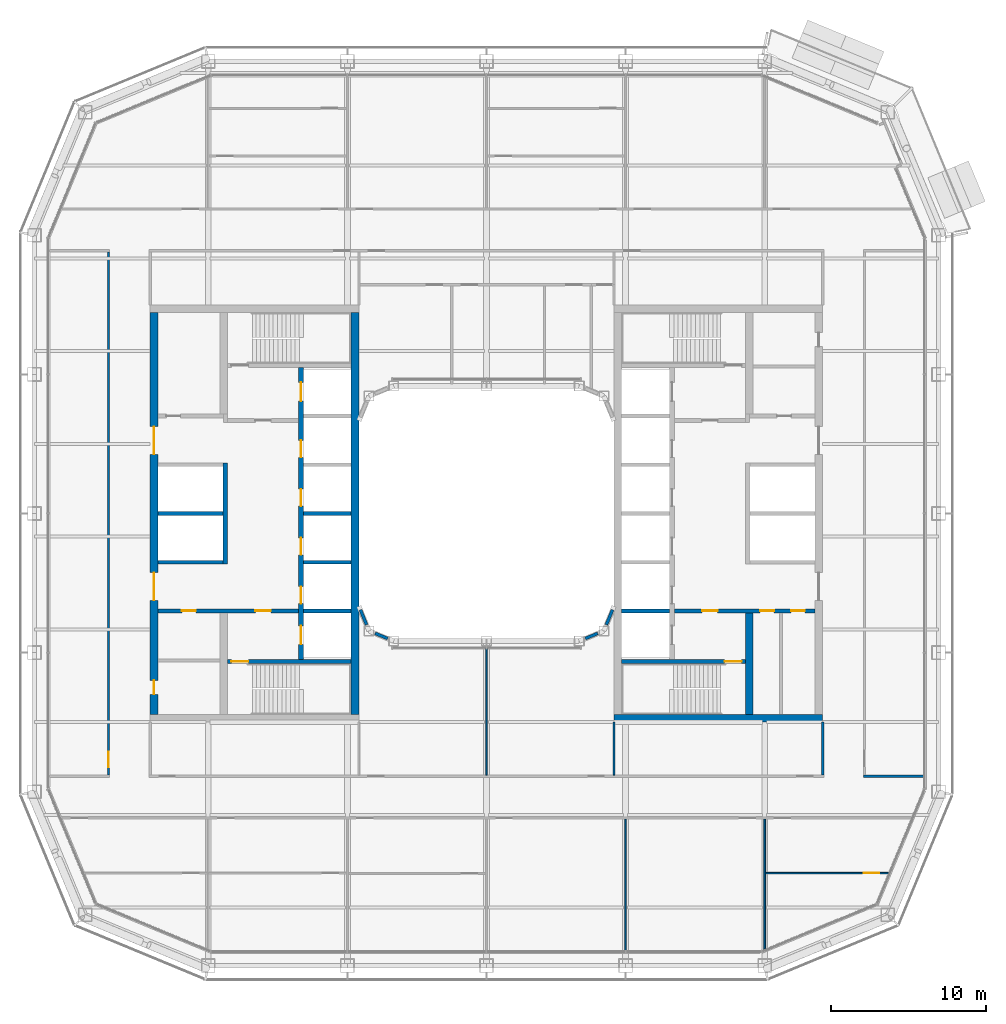
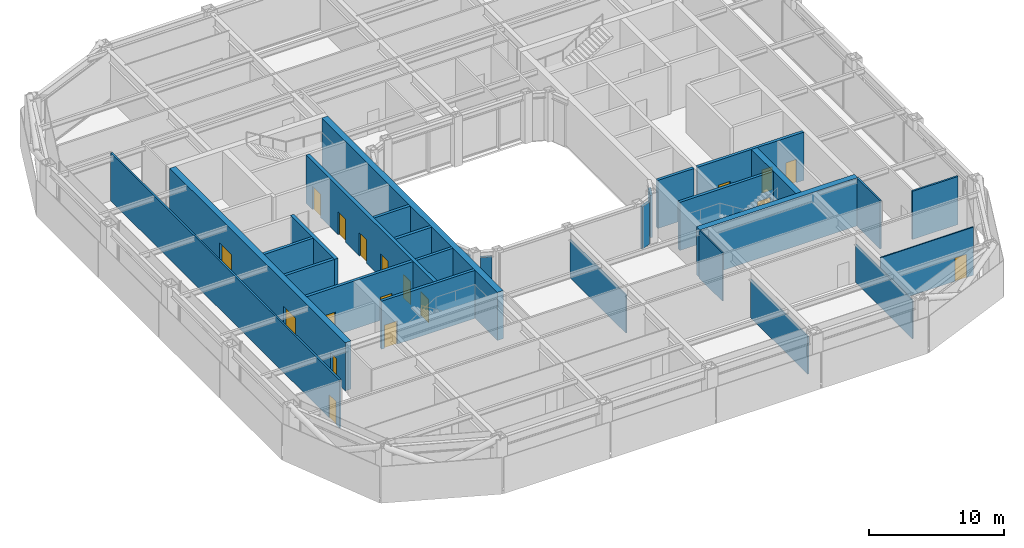
# One storey, part 12 of 24: 28 walls, 18 doors, 18 openings.
"""IFC4 building model written with IfcOpenShell, lengths in metres."""

from ifc_helpers import new_model, si_unit, direction, frame, frame_2d, origin, place, context, subcontext, project, spatial, rectangle, extrude, material, layer, layer_set, type_object, element, fill, save


model = new_model("IFC4")

# Units and contexts
model_context = context("Model", 3, precision=1e-05, world=origin(), true_north=direction((0.0, 1.0)))
body_context = subcontext(model_context, "Body", "Model", "MODEL_VIEW")
ifc_project = project(units=[si_unit("LENGTHUNIT", "METRE"), si_unit("AREAUNIT", "SQUARE_METRE"), si_unit("VOLUMEUNIT", "CUBIC_METRE"), si_unit("PLANEANGLEUNIT", "RADIAN"), si_unit("MASSUNIT", "GRAM", prefix="KILO")], contexts=[model_context])

# Site, building, storey
site_placement = place(None, origin())
site = spatial("IfcSite", under=ifc_project, at=site_placement, CompositionType="ELEMENT")
building_placement = place(site_placement, origin())
building = spatial("IfcBuilding", under=site, at=building_placement, Name="Siwar Civic Tower", CompositionType="ELEMENT")
storey_placement = place(building_placement, frame((0.0, 0.0, 149.699951171875)))
storey = spatial("IfcBuildingStorey", under=building, at=storey_placement, Name="L32", CompositionType="ELEMENT", Elevation=149.699951171875)

# Wall, openings, doors
ifc_material_1 = material(Name="Concrete C60/75", Category="concrete")
ifc_layer_1 = layer(ifc_material_1, 0.25)
ifc_layer_set_1 = layer_set([ifc_layer_1], Name="Concrete C60/75")
wall_type_1 = type_object("IfcWallType", Name="CORE-WALL-RC250", PredefinedType="SHEAR", material=ifc_layer_set_1)
wall_1_placement = place(storey_placement, frame((-12.14990234375, -6.300048828125, 0.0), z_axis=(0.0, 0.0, 1.0), x_axis=(-1.0, 0.0, 0.0)))
wall_1 = element("IfcWall", 1, at=wall_1_placement, inside=storey, type_object=wall_type_1, Name="Core wall W", PredefinedType="SHEAR", context=body_context, shape_type="SweptSolid", body=[
    extrude(rectangle(XDim=9.10009765625, YDim=0.25, at=frame_2d((4.550048828125, 0.0))), origin(), (0.0, 0.0, 1.0), 4.35009765625),
])
opening_1_placement = place(wall_1_placement, frame((1.800048828125, 0.0, 0.0)))
opening_1 = element("IfcOpeningElement", 2, at=opening_1_placement, cuts=wall_1, Name="Opening L32-CW02", PredefinedType="OPENING", context=body_context, shape_type="SweptSolid", body=[
    extrude(rectangle(XDim=1.0, YDim=2.10009765625, at=frame_2d((0.5, 1.050048828125))), frame((0.0, 0.135009765625, 0.0), z_axis=(0.0, -1.0, 0.0), x_axis=(1.0, 0.0, 0.0)), (0.0, 0.0, 1.0), 0.27001953125),
])
opening_2_placement = place(wall_1_placement, frame((6.64990234375, 0.0, 0.0)))
opening_2 = element("IfcOpeningElement", 3, at=opening_2_placement, cuts=wall_1, Name="Opening L32-CW14", PredefinedType="OPENING", context=body_context, shape_type="SweptSolid", body=[
    extrude(rectangle(XDim=0.89990234375, YDim=2.10009765625, at=frame_2d((0.449951171875, 1.050048828125))), frame((0.0, 0.135009765625, 0.0), z_axis=(0.0, -1.0, 0.0), x_axis=(1.0, 0.0, 0.0)), (0.0, 0.0, 1.0), 0.27001953125),
])
ifc_material_2 = material(Name="Steel door leaf", Category="steel")
door_type_1 = type_object("IfcDoorType", Name="CORE-DOOR-FD30S", OperationType="SINGLE_SWING_LEFT", PredefinedType="DOOR", material=ifc_material_2)
door_1_placement = place(opening_1_placement, origin())
door_1 = element("IfcDoor", 4, at=door_1_placement, inside=storey, type_object=door_type_1, Name="Service lobby door L32-CW02", OperationType="SINGLE_SWING_RIGHT", OverallHeight=2.10009765625, OverallWidth=1.0, PredefinedType="DOOR", context=body_context, shape_type="SweptSolid", body=[
    extrude(rectangle(XDim=1.0, YDim=2.10009765625, at=frame_2d((0.5, 1.050048828125))), frame((0.0, 0.02490234375, 0.0), z_axis=(0.0, -1.0, 0.0), x_axis=(1.0, 0.0, 0.0)), (0.0, 0.0, 1.0), 0.050048828125),
])
fill(opening_1, door_1)
ifc_material_3 = material(Name="Steel door leaf", Category="steel")
door_type_2 = type_object("IfcDoorType", Name="CORE-DOOR-ROOM", OperationType="SINGLE_SWING_LEFT", PredefinedType="DOOR", material=ifc_material_3)
door_2_placement = place(opening_2_placement, origin())
door_2 = element("IfcDoor", 5, at=door_2_placement, inside=storey, type_object=door_type_2, Name="Core room door L32-CW14", OperationType="SINGLE_SWING_RIGHT", OverallHeight=2.10009765625, OverallWidth=0.89990234375, PredefinedType="DOOR", context=body_context, shape_type="SweptSolid", body=[
    extrude(rectangle(XDim=0.89990234375, YDim=2.10009765625, at=frame_2d((0.449951171875, 1.050048828125))), frame((0.0, 0.02490234375, 0.0), z_axis=(0.0, -1.0, 0.0), x_axis=(1.0, 0.0, 0.0)), (0.0, 0.0, 1.0), 0.050048828125),
])
fill(opening_2, door_2)

# Walls
for number, where, z_axis, x_axis, name in (
    (6, (-17.050048828125, 0.0, 0.0), (0.0, 0.0, 1.0), (-1.0, 0.0, 0.0), "Core wall W"),
    (7, (-17.050048828125, -3.14990234375, 0.0), (0.0, 0.0, 1.0), (-1.0, 0.0, 0.0), "Core wall W"),
):
    element("IfcWall", number, at=place(storey_placement, frame(where, z_axis=z_axis, x_axis=x_axis)), inside=storey, type_object=wall_type_1, Name=name, PredefinedType="SHEAR", context=body_context, shape_type="SweptSolid", body=[
        extrude(rectangle(XDim=4.199951171875, YDim=0.25, at=frame_2d((2.10009765625, 0.0))), origin(), (0.0, 0.0, 1.0), 4.35009765625),
    ])
for number, where, z_axis, x_axis, name in (
    (8, (-8.75, 0.0, 0.0), (0.0, 0.0, 1.0), (-1.0, 0.0, 0.0), "Core wall W"),
    (9, (-8.75, -3.14990234375, 0.0), (0.0, 0.0, 1.0), (-1.0, 0.0, 0.0), "Core wall W"),
    (10, (-8.75, -6.300048828125, 0.0), (0.0, 0.0, 1.0), (-1.0, 0.0, 0.0), "Core wall W"),
):
    element("IfcWall", number, at=place(storey_placement, frame(where, z_axis=z_axis, x_axis=x_axis)), inside=storey, type_object=wall_type_1, Name=name, PredefinedType="SHEAR", context=body_context, shape_type="SweptSolid", body=[
        extrude(rectangle(XDim=3.10009765625, YDim=0.25, at=frame_2d((1.550048828125, 0.0))), origin(), (0.0, 0.0, 1.0), 4.35009765625),
    ])

# Wall, opening, door
wall_2_placement = place(storey_placement, frame((-8.75, -9.574951171875, 0.0), z_axis=(0.0, 0.0, 1.0), x_axis=(-1.0, 0.0, 0.0)))
wall_2 = element("IfcWall", 11, at=wall_2_placement, inside=storey, type_object=wall_type_1, Name="Core wall W", PredefinedType="SHEAR", context=body_context, shape_type="SweptSolid", body=[
    extrude(rectangle(XDim=8.0, YDim=0.25, at=frame_2d((4.0, 0.0))), origin(), (0.0, 0.0, 1.0), 4.35009765625),
])
opening_3_placement = place(wall_2_placement, frame((6.64990234375, 0.0, 0.0)))
opening_3 = element("IfcOpeningElement", 12, at=opening_3_placement, cuts=wall_2, Name="Opening L32-CW04", PredefinedType="OPENING", context=body_context, shape_type="SweptSolid", body=[
    extrude(rectangle(XDim=1.10009765625, YDim=2.10009765625, at=frame_2d((0.550048828125, 1.050048828125))), frame((0.0, 0.135009765625, 0.0), z_axis=(0.0, -1.0, 0.0), x_axis=(1.0, 0.0, 0.0)), (0.0, 0.0, 1.0), 0.27001953125),
])
ifc_material_4 = material(Name="Steel door leaf", Category="steel")
door_type_3 = type_object("IfcDoorType", Name="CORE-DOOR-FD60S", OperationType="SINGLE_SWING_LEFT", PredefinedType="DOOR", material=ifc_material_4)
door_3_placement = place(opening_3_placement, origin())
door_3 = element("IfcDoor", 13, at=door_3_placement, inside=storey, type_object=door_type_3, Name="Stair door L32-CW04", OperationType="SINGLE_SWING_LEFT", OverallHeight=2.10009765625, OverallWidth=1.10009765625, PredefinedType="DOOR", context=body_context, shape_type="SweptSolid", body=[
    extrude(rectangle(XDim=1.10009765625, YDim=2.10009765625, at=frame_2d((0.550048828125, 1.050048828125))), frame((0.0, 0.02490234375, 0.0), z_axis=(0.0, -1.0, 0.0), x_axis=(1.0, 0.0, 0.0)), (0.0, 0.0, 1.0), 0.050048828125),
])
fill(opening_3, door_3)

# Wall, openings, doors
wall_3_placement = place(storey_placement, frame((12.14990234375, -6.300048828125, 0.0), z_axis=(0.0, 0.0, 1.0), x_axis=(1.0, 0.0, 0.0)))
wall_3 = element("IfcWall", 14, at=wall_3_placement, inside=storey, type_object=wall_type_1, Name="Core wall E", PredefinedType="SHEAR", context=body_context, shape_type="SweptSolid", body=[
    extrude(rectangle(XDim=9.10009765625, YDim=0.25, at=frame_2d((4.550048828125, 0.0))), origin(), (0.0, 0.0, 1.0), 4.35009765625),
])
opening_4_placement = place(wall_3_placement, frame((1.800048828125, 0.0, 0.0)))
opening_4 = element("IfcOpeningElement", 15, at=opening_4_placement, cuts=wall_3, Name="Opening L32-CE02", PredefinedType="OPENING", context=body_context, shape_type="SweptSolid", body=[
    extrude(rectangle(XDim=1.0, YDim=2.10009765625, at=frame_2d((0.5, 1.050048828125))), frame((0.0, 0.135009765625, 0.0), z_axis=(0.0, -1.0, 0.0), x_axis=(1.0, 0.0, 0.0)), (0.0, 0.0, 1.0), 0.27001953125),
])
opening_5_placement = place(wall_3_placement, frame((5.550048828125, 0.0, 0.0)))
opening_5 = element("IfcOpeningElement", 16, at=opening_5_placement, cuts=wall_3, Name="Opening L32-CE15", PredefinedType="OPENING", context=body_context, shape_type="SweptSolid", body=[
    extrude(rectangle(XDim=0.89990234375, YDim=2.10009765625, at=frame_2d((0.449951171875, 1.050048828125))), frame((0.0, 0.135009765625, 0.0), z_axis=(0.0, -1.0, 0.0), x_axis=(1.0, 0.0, 0.0)), (0.0, 0.0, 1.0), 0.27001953125),
])
opening_6_placement = place(wall_3_placement, frame((7.550048828125, 0.0, 0.0)))
opening_6 = element("IfcOpeningElement", 17, at=opening_6_placement, cuts=wall_3, Name="Opening L32-CE16", PredefinedType="OPENING", context=body_context, shape_type="SweptSolid", body=[
    extrude(rectangle(XDim=0.89990234375, YDim=2.10009765625, at=frame_2d((0.449951171875, 1.050048828125))), frame((0.0, 0.135009765625, 0.0), z_axis=(0.0, -1.0, 0.0), x_axis=(1.0, 0.0, 0.0)), (0.0, 0.0, 1.0), 0.27001953125),
])
door_4_placement = place(opening_4_placement, origin())
door_4 = element("IfcDoor", 18, at=door_4_placement, inside=storey, type_object=door_type_1, Name="Service lobby door L32-CE02", OperationType="SINGLE_SWING_LEFT", OverallHeight=2.10009765625, OverallWidth=1.0, PredefinedType="DOOR", context=body_context, shape_type="SweptSolid", body=[
    extrude(rectangle(XDim=1.0, YDim=2.10009765625, at=frame_2d((0.5, 1.050048828125))), frame((0.0, 0.02490234375, 0.0), z_axis=(0.0, -1.0, 0.0), x_axis=(1.0, 0.0, 0.0)), (0.0, 0.0, 1.0), 0.050048828125),
])
fill(opening_4, door_4)
door_5_placement = place(opening_5_placement, origin())
door_5 = element("IfcDoor", 19, at=door_5_placement, inside=storey, type_object=door_type_2, Name="Core room door L32-CE15", OperationType="SINGLE_SWING_RIGHT", OverallHeight=2.10009765625, OverallWidth=0.89990234375, PredefinedType="DOOR", context=body_context, shape_type="SweptSolid", body=[
    extrude(rectangle(XDim=0.89990234375, YDim=2.10009765625, at=frame_2d((0.449951171875, 1.050048828125))), frame((0.0, 0.02490234375, 0.0), z_axis=(0.0, -1.0, 0.0), x_axis=(1.0, 0.0, 0.0)), (0.0, 0.0, 1.0), 0.050048828125),
])
fill(opening_5, door_5)
door_6_placement = place(opening_6_placement, origin())
door_6 = element("IfcDoor", 20, at=door_6_placement, inside=storey, type_object=door_type_2, Name="Core room door L32-CE16", OperationType="SINGLE_SWING_LEFT", OverallHeight=2.10009765625, OverallWidth=0.89990234375, PredefinedType="DOOR", context=body_context, shape_type="SweptSolid", body=[
    extrude(rectangle(XDim=0.89990234375, YDim=2.10009765625, at=frame_2d((0.449951171875, 1.050048828125))), frame((0.0, 0.02490234375, 0.0), z_axis=(0.0, -1.0, 0.0), x_axis=(1.0, 0.0, 0.0)), (0.0, 0.0, 1.0), 0.050048828125),
])
fill(opening_6, door_6)

# Wall
wall_4_placement = place(storey_placement, frame((8.75, -6.300048828125, 0.0), z_axis=(0.0, 0.0, 1.0), x_axis=(1.0, 0.0, 0.0)))
element("IfcWall", 21, at=wall_4_placement, inside=storey, type_object=wall_type_1, Name="Core wall E", PredefinedType="SHEAR", context=body_context, shape_type="SweptSolid", body=[
    extrude(rectangle(XDim=3.10009765625, YDim=0.25, at=frame_2d((1.550048828125, 0.0))), origin(), (0.0, 0.0, 1.0), 4.35009765625),
])

# Wall, opening, door
wall_5_placement = place(storey_placement, frame((8.75, -9.574951171875, 0.0), z_axis=(0.0, 0.0, 1.0), x_axis=(1.0, 0.0, 0.0)))
wall_5 = element("IfcWall", 22, at=wall_5_placement, inside=storey, type_object=wall_type_1, Name="Core wall E", PredefinedType="SHEAR", context=body_context, shape_type="SweptSolid", body=[
    extrude(rectangle(XDim=8.0, YDim=0.25, at=frame_2d((4.0, 0.0))), origin(), (0.0, 0.0, 1.0), 4.35009765625),
])
opening_7_placement = place(wall_5_placement, frame((6.64990234375, 0.0, 0.0)))
opening_7 = element("IfcOpeningElement", 23, at=opening_7_placement, cuts=wall_5, Name="Opening L32-CE04", PredefinedType="OPENING", context=body_context, shape_type="SweptSolid", body=[
    extrude(rectangle(XDim=1.10009765625, YDim=2.10009765625, at=frame_2d((0.550048828125, 1.050048828125))), frame((0.0, 0.135009765625, 0.0), z_axis=(0.0, -1.0, 0.0), x_axis=(1.0, 0.0, 0.0)), (0.0, 0.0, 1.0), 0.27001953125),
])
door_7_placement = place(opening_7_placement, origin())
door_7 = element("IfcDoor", 24, at=door_7_placement, inside=storey, type_object=door_type_3, Name="Stair door L32-CE04", OperationType="SINGLE_SWING_RIGHT", OverallHeight=2.10009765625, OverallWidth=1.10009765625, PredefinedType="DOOR", context=body_context, shape_type="SweptSolid", body=[
    extrude(rectangle(XDim=1.10009765625, YDim=2.10009765625, at=frame_2d((0.550048828125, 1.050048828125))), frame((0.0, 0.02490234375, 0.0), z_axis=(0.0, -1.0, 0.0), x_axis=(1.0, 0.0, 0.0)), (0.0, 0.0, 1.0), 0.050048828125),
])
fill(opening_7, door_7)

# Wall, openings, doors
ifc_material_5 = material(Name="Concrete C60/75", Category="concrete")
ifc_layer_2 = layer(ifc_material_5, 0.300048828125)
ifc_layer_set_2 = layer_set([ifc_layer_2], Name="Concrete C60/75")
wall_type_2 = type_object("IfcWallType", Name="CORE-WALL-RC300", PredefinedType="SHEAR", material=ifc_layer_set_2)
wall_6_placement = place(storey_placement, frame((-12.0, -9.449951171875, 0.0), z_axis=(0.0, 0.0, 1.0), x_axis=(0.0, 1.0, 0.0)))
wall_6 = element("IfcWall", 25, at=wall_6_placement, inside=storey, type_object=wall_type_2, Name="Core wall W", PredefinedType="SHEAR", context=body_context, shape_type="SweptSolid", body=[
    extrude(rectangle(XDim=18.89990234375, YDim=0.300048828125, at=frame_2d((9.449951171875, 0.0))), origin(), (0.0, 0.0, 1.0), 4.35009765625),
])
opening_8_placement = place(wall_6_placement, frame((3.625, 0.0, 0.0)))
opening_8 = element("IfcOpeningElement", 26, at=opening_8_placement, cuts=wall_6, Name="Opening L32-CW07", PredefinedType="OPENING", context=body_context, shape_type="SweptSolid", body=[
    extrude(rectangle(XDim=1.10009765625, YDim=2.10009765625, at=frame_2d((0.550048828125, 1.050048828125))), frame((0.0, 0.16015625, 0.0), z_axis=(0.0, -1.0, 0.0), x_axis=(1.0, 0.0, 0.0)), (0.0, 0.0, 1.0), 0.320068359375),
])
opening_9_placement = place(wall_6_placement, frame((6.77490234375, 0.0, 0.0)))
opening_9 = element("IfcOpeningElement", 27, at=opening_9_placement, cuts=wall_6, Name="Opening L32-CW08", PredefinedType="OPENING", context=body_context, shape_type="SweptSolid", body=[
    extrude(rectangle(XDim=1.10009765625, YDim=2.10009765625, at=frame_2d((0.550048828125, 1.050048828125))), frame((0.0, 0.16015625, 0.0), z_axis=(0.0, -1.0, 0.0), x_axis=(1.0, 0.0, 0.0)), (0.0, 0.0, 1.0), 0.320068359375),
])
opening_10_placement = place(wall_6_placement, frame((9.925048828125, 0.0, 0.0)))
opening_10 = element("IfcOpeningElement", 28, at=opening_10_placement, cuts=wall_6, Name="Opening L32-CW09", PredefinedType="OPENING", context=body_context, shape_type="SweptSolid", body=[
    extrude(rectangle(XDim=1.10009765625, YDim=2.10009765625, at=frame_2d((0.550048828125, 1.050048828125))), frame((0.0, 0.16015625, 0.0), z_axis=(0.0, -1.0, 0.0), x_axis=(1.0, 0.0, 0.0)), (0.0, 0.0, 1.0), 0.320068359375),
])
opening_11_placement = place(wall_6_placement, frame((13.074951171875, 0.0, 0.0)))
opening_11 = element("IfcOpeningElement", 29, at=opening_11_placement, cuts=wall_6, Name="Opening L32-CW10", PredefinedType="OPENING", context=body_context, shape_type="SweptSolid", body=[
    extrude(rectangle(XDim=1.10009765625, YDim=2.10009765625, at=frame_2d((0.550048828125, 1.050048828125))), frame((0.0, 0.16015625, 0.0), z_axis=(0.0, -1.0, 0.0), x_axis=(1.0, 0.0, 0.0)), (0.0, 0.0, 1.0), 0.320068359375),
])
opening_12_placement = place(wall_6_placement, frame((16.72509765625, 0.0, 0.0)))
opening_12 = element("IfcOpeningElement", 30, at=opening_12_placement, cuts=wall_6, Name="Opening L32-CW11", PredefinedType="OPENING", context=body_context, shape_type="SweptSolid", body=[
    extrude(rectangle(XDim=1.199951171875, YDim=2.10009765625, at=frame_2d((0.60009765625, 1.050048828125))), frame((0.0, 0.16015625, 0.0), z_axis=(0.0, -1.0, 0.0), x_axis=(1.0, 0.0, 0.0)), (0.0, 0.0, 1.0), 0.320068359375),
])
opening_13_placement = place(wall_6_placement, frame((0.97509765625, 0.0, 0.0)))
opening_13 = element("IfcOpeningElement", 31, at=opening_13_placement, cuts=wall_6, Name="Opening L32-CW12", PredefinedType="OPENING", context=body_context, shape_type="SweptSolid", body=[
    extrude(rectangle(XDim=1.199951171875, YDim=2.10009765625, at=frame_2d((0.60009765625, 1.050048828125))), frame((0.0, 0.16015625, 0.0), z_axis=(0.0, -1.0, 0.0), x_axis=(1.0, 0.0, 0.0)), (0.0, 0.0, 1.0), 0.320068359375),
])
ifc_material_6 = material(Name="Steel door leaf", Category="steel")
door_type_4 = type_object("IfcDoorType", Name="CORE-DOOR-LD", OperationType="DOUBLE_DOOR_SLIDING", PredefinedType="DOOR", material=ifc_material_6)
door_8_placement = place(opening_8_placement, origin())
door_8 = element("IfcDoor", 32, at=door_8_placement, inside=storey, type_object=door_type_4, Name="Landing door LR1 L32-CW07", OperationType="DOUBLE_DOOR_SLIDING", OverallHeight=2.10009765625, OverallWidth=1.10009765625, PredefinedType="DOOR", context=body_context, shape_type="SweptSolid", body=[
    extrude(rectangle(XDim=1.10009765625, YDim=2.10009765625, at=frame_2d((0.550048828125, 1.050048828125))), frame((0.0, 0.02490234375, 0.0), z_axis=(0.0, -1.0, 0.0), x_axis=(1.0, 0.0, 0.0)), (0.0, 0.0, 1.0), 0.050048828125),
])
fill(opening_8, door_8)
door_9_placement = place(opening_9_placement, origin())
door_9 = element("IfcDoor", 33, at=door_9_placement, inside=storey, type_object=door_type_4, Name="Landing door LR2 L32-CW08", OperationType="DOUBLE_DOOR_SLIDING", OverallHeight=2.10009765625, OverallWidth=1.10009765625, PredefinedType="DOOR", context=body_context, shape_type="SweptSolid", body=[
    extrude(rectangle(XDim=1.10009765625, YDim=2.10009765625, at=frame_2d((0.550048828125, 1.050048828125))), frame((0.0, 0.02490234375, 0.0), z_axis=(0.0, -1.0, 0.0), x_axis=(1.0, 0.0, 0.0)), (0.0, 0.0, 1.0), 0.050048828125),
])
fill(opening_9, door_9)
door_10_placement = place(opening_10_placement, origin())
door_10 = element("IfcDoor", 34, at=door_10_placement, inside=storey, type_object=door_type_4, Name="Landing door LR3 L32-CW09", OperationType="DOUBLE_DOOR_SLIDING", OverallHeight=2.10009765625, OverallWidth=1.10009765625, PredefinedType="DOOR", context=body_context, shape_type="SweptSolid", body=[
    extrude(rectangle(XDim=1.10009765625, YDim=2.10009765625, at=frame_2d((0.550048828125, 1.050048828125))), frame((0.0, 0.02490234375, 0.0), z_axis=(0.0, -1.0, 0.0), x_axis=(1.0, 0.0, 0.0)), (0.0, 0.0, 1.0), 0.050048828125),
])
fill(opening_10, door_10)
door_11_placement = place(opening_11_placement, origin())
door_11 = element("IfcDoor", 35, at=door_11_placement, inside=storey, type_object=door_type_4, Name="Landing door LR4 L32-CW10", OperationType="DOUBLE_DOOR_SLIDING", OverallHeight=2.10009765625, OverallWidth=1.10009765625, PredefinedType="DOOR", context=body_context, shape_type="SweptSolid", body=[
    extrude(rectangle(XDim=1.10009765625, YDim=2.10009765625, at=frame_2d((0.550048828125, 1.050048828125))), frame((0.0, 0.02490234375, 0.0), z_axis=(0.0, -1.0, 0.0), x_axis=(1.0, 0.0, 0.0)), (0.0, 0.0, 1.0), 0.050048828125),
])
fill(opening_11, door_11)
ifc_material_7 = material(Name="Steel door leaf", Category="steel")
door_type_5 = type_object("IfcDoorType", Name="CORE-DOOR-LDW", OperationType="DOUBLE_DOOR_SLIDING", PredefinedType="DOOR", material=ifc_material_7)
door_12_placement = place(opening_12_placement, origin())
door_12 = element("IfcDoor", 36, at=door_12_placement, inside=storey, type_object=door_type_5, Name="Landing door FF1 L32-CW11", OperationType="DOUBLE_DOOR_SLIDING", OverallHeight=2.10009765625, OverallWidth=1.199951171875, PredefinedType="DOOR", context=body_context, shape_type="SweptSolid", body=[
    extrude(rectangle(XDim=1.199951171875, YDim=2.10009765625, at=frame_2d((0.60009765625, 1.050048828125))), frame((0.0, 0.02490234375, 0.0), z_axis=(0.0, -1.0, 0.0), x_axis=(1.0, 0.0, 0.0)), (0.0, 0.0, 1.0), 0.050048828125),
])
fill(opening_12, door_12)
door_13_placement = place(opening_13_placement, origin())
door_13 = element("IfcDoor", 37, at=door_13_placement, inside=storey, type_object=door_type_5, Name="Landing door SV1 L32-CW12", OperationType="DOUBLE_DOOR_SLIDING", OverallHeight=2.10009765625, OverallWidth=1.199951171875, PredefinedType="DOOR", context=body_context, shape_type="SweptSolid", body=[
    extrude(rectangle(XDim=1.199951171875, YDim=2.10009765625, at=frame_2d((0.60009765625, 1.050048828125))), frame((0.0, 0.02490234375, 0.0), z_axis=(0.0, -1.0, 0.0), x_axis=(1.0, 0.0, 0.0)), (0.0, 0.0, 1.0), 0.050048828125),
])
fill(opening_13, door_13)

# Wall
wall_7_placement = place(storey_placement, frame((-16.89990234375, -3.27490234375, 0.0), z_axis=(0.0, 0.0, 1.0), x_axis=(0.0, 1.0, 0.0)))
element("IfcWall", 38, at=wall_7_placement, inside=storey, type_object=wall_type_2, Name="Core wall W", PredefinedType="SHEAR", context=body_context, shape_type="SweptSolid", body=[
    extrude(rectangle(XDim=6.5498046875, YDim=0.300048828125, at=frame_2d((3.27490234375, 0.0))), origin(), (0.0, 0.0, 1.0), 4.35009765625),
])

# Wall, openings, doors
ifc_material_8 = material(Name="Concrete C60/75", Category="concrete")
ifc_layer_3 = layer(ifc_material_8, 0.5)
ifc_layer_set_3 = layer_set([ifc_layer_3], Name="Concrete C60/75")
wall_type_3 = type_object("IfcWallType", Name="CORE-WALL-RC500", PredefinedType="SHEAR", material=ifc_layer_set_3)
wall_8_placement = place(storey_placement, frame((-21.5, -13.0, 0.0), z_axis=(0.0, 0.0, 1.0), x_axis=(0.0, 1.0, 0.0)))
wall_8 = element("IfcWall", 39, at=wall_8_placement, inside=storey, type_object=wall_type_3, Name="Core wall W", PredefinedType="SHEAR", context=body_context, shape_type="SweptSolid", body=[
    extrude(rectangle(XDim=26.0, YDim=0.5, at=frame_2d((13.0, 0.0))), origin(), (0.0, 0.0, 1.0), 4.35009765625),
])
opening_14_placement = place(wall_8_placement, frame((16.824951171875, 0.0, 0.0)))
opening_14 = element("IfcOpeningElement", 40, at=opening_14_placement, cuts=wall_8, Name="Opening L32-CW05", PredefinedType="OPENING", context=body_context, shape_type="SweptSolid", body=[
    extrude(rectangle(XDim=1.800048828125, YDim=2.10009765625, at=frame_2d((0.89990234375, 1.050048828125))), frame((0.0, 0.260009765625, 0.0), z_axis=(0.0, -1.0, 0.0), x_axis=(1.0, 0.0, 0.0)), (0.0, 0.0, 1.0), 0.52001953125),
])
opening_15_placement = place(wall_8_placement, frame((7.375, 0.0, 0.0)))
opening_15 = element("IfcOpeningElement", 41, at=opening_15_placement, cuts=wall_8, Name="Opening L32-CW06", PredefinedType="OPENING", context=body_context, shape_type="SweptSolid", body=[
    extrude(rectangle(XDim=1.800048828125, YDim=2.10009765625, at=frame_2d((0.89990234375, 1.050048828125))), frame((0.0, 0.260009765625, 0.0), z_axis=(0.0, -1.0, 0.0), x_axis=(1.0, 0.0, 0.0)), (0.0, 0.0, 1.0), 0.52001953125),
])
opening_16_placement = place(wall_8_placement, frame((1.300048828125, 0.0, 0.0)))
opening_16 = element("IfcOpeningElement", 42, at=opening_16_placement, cuts=wall_8, Name="Opening L32-CW15", PredefinedType="OPENING", context=body_context, shape_type="SweptSolid", body=[
    extrude(rectangle(XDim=0.89990234375, YDim=2.10009765625, at=frame_2d((0.449951171875, 1.050048828125))), frame((0.0, 0.260009765625, 0.0), z_axis=(0.0, -1.0, 0.0), x_axis=(1.0, 0.0, 0.0)), (0.0, 0.0, 1.0), 0.52001953125),
])
ifc_material_9 = material(Name="Steel door leaf", Category="steel")
door_type_6 = type_object("IfcDoorType", Name="CORE-DOOR-PORT", OperationType="DOUBLE_DOOR_DOUBLE_SWING", PredefinedType="DOOR", material=ifc_material_9)
door_14_placement = place(opening_14_placement, origin())
door_14 = element("IfcDoor", 43, at=door_14_placement, inside=storey, type_object=door_type_6, Name="Core entrance door L32-CW05", OperationType="DOUBLE_DOOR_DOUBLE_SWING", OverallHeight=2.10009765625, OverallWidth=1.800048828125, PredefinedType="DOOR", context=body_context, shape_type="SweptSolid", body=[
    extrude(rectangle(XDim=1.800048828125, YDim=2.10009765625, at=frame_2d((0.89990234375, 1.050048828125))), frame((0.0, 0.02490234375, 0.0), z_axis=(0.0, -1.0, 0.0), x_axis=(1.0, 0.0, 0.0)), (0.0, 0.0, 1.0), 0.050048828125),
])
fill(opening_14, door_14)
door_15_placement = place(opening_15_placement, origin())
door_15 = element("IfcDoor", 44, at=door_15_placement, inside=storey, type_object=door_type_6, Name="Core entrance door L32-CW06", OperationType="DOUBLE_DOOR_DOUBLE_SWING", OverallHeight=2.10009765625, OverallWidth=1.800048828125, PredefinedType="DOOR", context=body_context, shape_type="SweptSolid", body=[
    extrude(rectangle(XDim=1.800048828125, YDim=2.10009765625, at=frame_2d((0.89990234375, 1.050048828125))), frame((0.0, 0.02490234375, 0.0), z_axis=(0.0, -1.0, 0.0), x_axis=(1.0, 0.0, 0.0)), (0.0, 0.0, 1.0), 0.050048828125),
])
fill(opening_15, door_15)
door_16_placement = place(opening_16_placement, origin())
door_16 = element("IfcDoor", 45, at=door_16_placement, inside=storey, type_object=door_type_2, Name="Core room door L32-CW15", OperationType="SINGLE_SWING_RIGHT", OverallHeight=2.10009765625, OverallWidth=0.89990234375, PredefinedType="DOOR", context=body_context, shape_type="SweptSolid", body=[
    extrude(rectangle(XDim=0.89990234375, YDim=2.10009765625, at=frame_2d((0.449951171875, 1.050048828125))), frame((0.0, 0.02490234375, 0.0), z_axis=(0.0, -1.0, 0.0), x_axis=(1.0, 0.0, 0.0)), (0.0, 0.0, 1.0), 0.050048828125),
])
fill(opening_16, door_16)

# Walls
wall_9_placement = place(storey_placement, frame((17.0, -13.0, 0.0), z_axis=(0.0, 0.0, 1.0), x_axis=(0.0, 1.0, 0.0)))
element("IfcWall", 46, at=wall_9_placement, inside=storey, type_object=wall_type_3, Name="Core wall E", PredefinedType="SHEAR", context=body_context, shape_type="SweptSolid", body=[
    extrude(rectangle(XDim=6.574951171875, YDim=0.5, at=frame_2d((3.28759765625, 0.0))), origin(), (0.0, 0.0, 1.0), 4.35009765625),
])
wall_10_placement = place(storey_placement, frame((8.25, -13.25, 0.0), z_axis=(0.0, 0.0, 1.0), x_axis=(1.0, 0.0, 0.0)))
element("IfcWall", 47, at=wall_10_placement, inside=storey, type_object=wall_type_3, Name="Core wall E", PredefinedType="SHEAR", context=body_context, shape_type="SweptSolid", body=[
    extrude(rectangle(XDim=13.5, YDim=0.5, at=frame_2d((6.75, 0.0))), origin(), (0.0, 0.0, 1.0), 4.35009765625),
])
ifc_material_10 = material(Name="Concrete C60/75", Category="concrete")
ifc_layer_4 = layer(ifc_material_10, 0.5)
ifc_layer_set_4 = layer_set([ifc_layer_4], Name="Concrete C60/75")
wall_type_4 = type_object("IfcWallType", Name="CORE-WALL-RC500-EXT", PredefinedType="SHEAR", material=ifc_layer_set_4)
wall_11_placement = place(storey_placement, frame((-8.5, -13.0, 0.0), z_axis=(0.0, 0.0, 1.0), x_axis=(0.0, 1.0, 0.0)))
element("IfcWall", 48, at=wall_11_placement, inside=storey, type_object=wall_type_4, Name="Core wall W", PredefinedType="SHEAR", context=body_context, shape_type="SweptSolid", body=[
    extrude(rectangle(XDim=26.0, YDim=0.5, at=frame_2d((13.0, 0.0))), origin(), (0.0, 0.0, 1.0), 4.35009765625),
])
ifc_material_11 = material(Name="Gypsum board on steel studs", Category="steel")
ifc_layer_5 = layer(ifc_material_11, 0.14990234375)
ifc_layer_set_5 = layer_set([ifc_layer_5], Name="Gypsum board on steel studs")
wall_type_5 = type_object("IfcWallType", Name="CORRIDOR PARTITION 150 EI 30", PredefinedType="PARTITIONING", material=ifc_layer_set_5)
wall_12_placement = place(storey_placement, frame((24.375, -17.0, 0.0), z_axis=(0.0, 0.0, 1.0), x_axis=(1.0, 0.0, 0.0)))
element("IfcWall", 49, at=wall_12_placement, inside=storey, type_object=wall_type_5, Name="L32/wall/P07", PredefinedType="PARTITIONING", context=body_context, shape_type="SweptSolid", body=[
    extrude(rectangle(XDim=3.885009765625, YDim=0.14990234375, at=frame_2d((1.9423828125, 0.0))), origin(), (0.0, 0.0, 1.0), 4.35009765625),
])

# Wall, opening, door
wall_13_placement = place(storey_placement, frame((-24.449951171875, -16.925048828125, 0.0), z_axis=(0.0, 0.0, 1.0), x_axis=(0.0, 1.0, 0.0)))
wall_13 = element("IfcWall", 50, at=wall_13_placement, inside=storey, type_object=wall_type_5, Name="L32/wall/P18", PredefinedType="PARTITIONING", context=body_context, shape_type="SweptSolid", body=[
    extrude(rectangle(XDim=33.85009765625, YDim=0.14990234375, at=frame_2d((16.925048828125, 0.0))), origin(), (0.0, 0.0, 1.0), 4.35009765625),
])
opening_17_placement = place(wall_13_placement, frame((0.52490234375, 0.0, 0.0)))
opening_17 = element("IfcOpeningElement", 51, at=opening_17_placement, cuts=wall_13, Name="Opening D1", PredefinedType="OPENING", context=body_context, shape_type="SweptSolid", body=[
    extrude(rectangle(XDim=1.0, YDim=2.10009765625, at=frame_2d((0.5, 1.050048828125))), frame((0.0, 0.0849609375, 0.0), z_axis=(0.0, -1.0, 0.0), x_axis=(1.0, 0.0, 0.0)), (0.0, 0.0, 1.0), 0.169921875),
])
ifc_material_12 = material(Name="Timber, painted", Category="wood")
door_type_7 = type_object("IfcDoorType", Name="DOOR 1000 X 2100 FD30", OperationType="SINGLE_SWING_LEFT", PredefinedType="DOOR", material=ifc_material_12)
door_17_placement = place(opening_17_placement, origin())
door_17 = element("IfcDoor", 52, at=door_17_placement, inside=storey, type_object=door_type_7, Name="L32-D32", OperationType="SINGLE_SWING_RIGHT", OverallHeight=2.10009765625, OverallWidth=1.0, PredefinedType="DOOR", context=body_context, shape_type="SweptSolid", body=[
    extrude(rectangle(XDim=1.0, YDim=2.10009765625, at=frame_2d((0.5, 1.050048828125))), frame((0.0, 0.02490234375, 0.0), z_axis=(0.0, -1.0, 0.0), x_axis=(1.0, 0.0, 0.0)), (0.0, 0.0, 1.0), 0.050048828125),
])
fill(opening_17, door_17)

# Walls
wall_14_placement = place(storey_placement, frame((21.75, -16.925048828125, 0.0), z_axis=(0.0, 0.0, 1.0), x_axis=(0.0, 1.0, 0.0)))
element("IfcWall", 53, at=wall_14_placement, inside=storey, type_object=wall_type_5, Name="L32/wall/P41", PredefinedType="PARTITIONING", context=body_context, shape_type="SweptSolid", body=[
    extrude(rectangle(XDim=3.425048828125, YDim=0.14990234375, at=frame_2d((1.71240234375, 0.0))), origin(), (0.0, 0.0, 1.0), 4.35009765625),
])
ifc_material_13 = material(Name="Aluminium clad insulated panel", Category="aluminium")
ifc_layer_6 = layer(ifc_material_13, 0.199951171875)
ifc_layer_set_6 = layer_set([ifc_layer_6], Name="Aluminium clad insulated panel")
wall_type_6 = type_object("IfcWallType", Name="ENV-WALL-WELL", PredefinedType="STANDARD", material=ifc_layer_set_6)
wall_15_placement = place(storey_placement, frame((6.392333984375, -8.08740234375, 0.0), z_axis=(0.0, 0.0, 1.0), x_axis=(0.923894108428, 0.382648241093, 0.0)))
element("IfcWall", 54, at=wall_15_placement, inside=storey, type_object=wall_type_6, Name="Light well corner wall SE1", PredefinedType="STANDARD", context=body_context, shape_type="SweptSolid", body=[
    extrude(rectangle(XDim=0.872802734375, YDim=0.199951171875, at=frame_2d((0.4365234375, 0.0))), origin(), (0.0, 0.0, 1.0), 3.825927734375),
])
for number, where, z_axis, x_axis, name in (
    (55, (7.75341796875, -7.19873046875, 0.0), (0.0, 0.0, 1.0), (0.382694858887, 0.923874799408, 0.0), "Light well corner wall SE2"),
    (56, (-8.154296875, -6.23095703125, 0.0), (0.0, 0.0, 1.0), (0.382694858887, -0.923874799408, 0.0), "Light well corner wall SW1"),
):
    element("IfcWall", number, at=place(storey_placement, frame(where, z_axis=z_axis, x_axis=x_axis)), inside=storey, type_object=wall_type_6, Name=name, PredefinedType="STANDARD", context=body_context, shape_type="SweptSolid", body=[
        extrude(rectangle(XDim=1.047607421875, YDim=0.199951171875, at=frame_2d((0.52392578125, 0.0))), origin(), (0.0, 0.0, 1.0), 3.825927734375),
    ])
wall_16_placement = place(storey_placement, frame((-7.19873046875, -7.75341796875, 0.0), z_axis=(0.0, 0.0, 1.0), x_axis=(0.923894108428, -0.382648241093, 0.0)))
element("IfcWall", 57, at=wall_16_placement, inside=storey, type_object=wall_type_6, Name="Light well corner wall SW2", PredefinedType="STANDARD", context=body_context, shape_type="SweptSolid", body=[
    extrude(rectangle(XDim=0.872802734375, YDim=0.199951171875, at=frame_2d((0.4365234375, 0.0))), origin(), (0.0, 0.0, 1.0), 3.825927734375),
])

# Wall, opening, door
ifc_material_14 = material(Name="Gypsum board on steel studs", Category="steel")
ifc_layer_7 = layer(ifc_material_14, 0.10009765625)
ifc_layer_set_7 = layer_set([ifc_layer_7], Name="Gypsum board on steel studs")
wall_type_7 = type_object("IfcWallType", Name="PARTITION 100 GYPSUM", PredefinedType="PARTITIONING", material=ifc_layer_set_7)
wall_17_placement = place(storey_placement, frame((18.050048828125, -23.260986328125, 0.0), z_axis=(0.0, 0.0, 1.0), x_axis=(1.0, 0.0, 0.0)))
wall_17 = element("IfcWall", 58, at=wall_17_placement, inside=storey, type_object=wall_type_7, Name="L32/wall/P03", PredefinedType="PARTITIONING", context=body_context, shape_type="SweptSolid", body=[
    extrude(rectangle(XDim=7.948974609375, YDim=0.10009765625, at=frame_2d((3.974609375, 0.0))), origin(), (0.0, 0.0, 1.0), 4.35009765625),
])
opening_18_placement = place(wall_17_placement, frame((6.35009765625, 0.0, 0.0)))
opening_18 = element("IfcOpeningElement", 59, at=opening_18_placement, cuts=wall_17, Name="Opening D2", PredefinedType="OPENING", context=body_context, shape_type="SweptSolid", body=[
    extrude(rectangle(XDim=1.0, YDim=2.10009765625, at=frame_2d((0.5, 1.050048828125))), frame((0.0, 0.06005859375, 0.0), z_axis=(0.0, -1.0, 0.0), x_axis=(1.0, 0.0, 0.0)), (0.0, 0.0, 1.0), 0.1201171875),
])
ifc_material_15 = material(Name="Timber, painted", Category="wood")
door_type_8 = type_object("IfcDoorType", Name="DOOR 1000 X 2100", OperationType="SINGLE_SWING_LEFT", PredefinedType="DOOR", material=ifc_material_15)
door_18_placement = place(opening_18_placement, origin())
door_18 = element("IfcDoor", 60, at=door_18_placement, inside=storey, type_object=door_type_8, Name="L32-D20", OperationType="SINGLE_SWING_RIGHT", OverallHeight=2.10009765625, OverallWidth=1.0, PredefinedType="DOOR", context=body_context, shape_type="SweptSolid", body=[
    extrude(rectangle(XDim=1.0, YDim=2.10009765625, at=frame_2d((0.5, 1.050048828125))), frame((0.0, 0.02490234375, 0.0), z_axis=(0.0, -1.0, 0.0), x_axis=(1.0, 0.0, 0.0)), (0.0, 0.0, 1.0), 0.050048828125),
])
fill(opening_18, door_18)

# Walls
wall_18_placement = place(storey_placement, frame((0.0, -16.925048828125, 0.0), z_axis=(0.0, 0.0, 1.0), x_axis=(0.0, 1.0, 0.0)))
element("IfcWall", 61, at=wall_18_placement, inside=storey, type_object=wall_type_7, Name="L32/wall/P30", PredefinedType="PARTITIONING", context=body_context, shape_type="SweptSolid", body=[
    extrude(rectangle(XDim=8.275146484375, YDim=0.10009765625, at=frame_2d((4.1376953125, 0.0))), origin(), (0.0, 0.0, 1.0), 3.449951171875),
])
wall_19_placement = place(storey_placement, frame((8.25, -16.925048828125, 0.0), z_axis=(0.0, 0.0, 1.0), x_axis=(0.0, 1.0, 0.0)))
element("IfcWall", 62, at=wall_19_placement, inside=storey, type_object=wall_type_7, Name="L32/wall/P34", PredefinedType="PARTITIONING", context=body_context, shape_type="SweptSolid", body=[
    extrude(rectangle(XDim=3.425048828125, YDim=0.10009765625, at=frame_2d((1.71240234375, 0.0))), origin(), (0.0, 0.0, 1.0), 4.35009765625),
])
wall_20_placement = place(storey_placement, frame((9.0, -28.260009765625, 0.0), z_axis=(0.0, 0.0, 1.0), x_axis=(0.0, 1.0, 0.0)))
element("IfcWall", 63, at=wall_20_placement, inside=storey, type_object=wall_type_7, Name="L32/wall/P37", PredefinedType="PARTITIONING", context=body_context, shape_type="SweptSolid", body=[
    extrude(rectangle(XDim=8.485107421875, YDim=0.10009765625, at=frame_2d((4.24267578125, 0.0))), origin(), (0.0, 0.0, 1.0), 3.449951171875),
])
wall_21_placement = place(storey_placement, frame((18.0, -28.177978515625, 0.0), z_axis=(0.0, 0.0, 1.0), x_axis=(0.0, 1.0, 0.0)))
element("IfcWall", 64, at=wall_21_placement, inside=storey, type_object=wall_type_7, Name="L32/wall/P39", PredefinedType="PARTITIONING", context=body_context, shape_type="SweptSolid", body=[
    extrude(rectangle(XDim=8.403076171875, YDim=0.10009765625, at=frame_2d((4.20166015625, 0.0))), origin(), (0.0, 0.0, 1.0), 3.449951171875),
])

save(model, "model.ifc")
